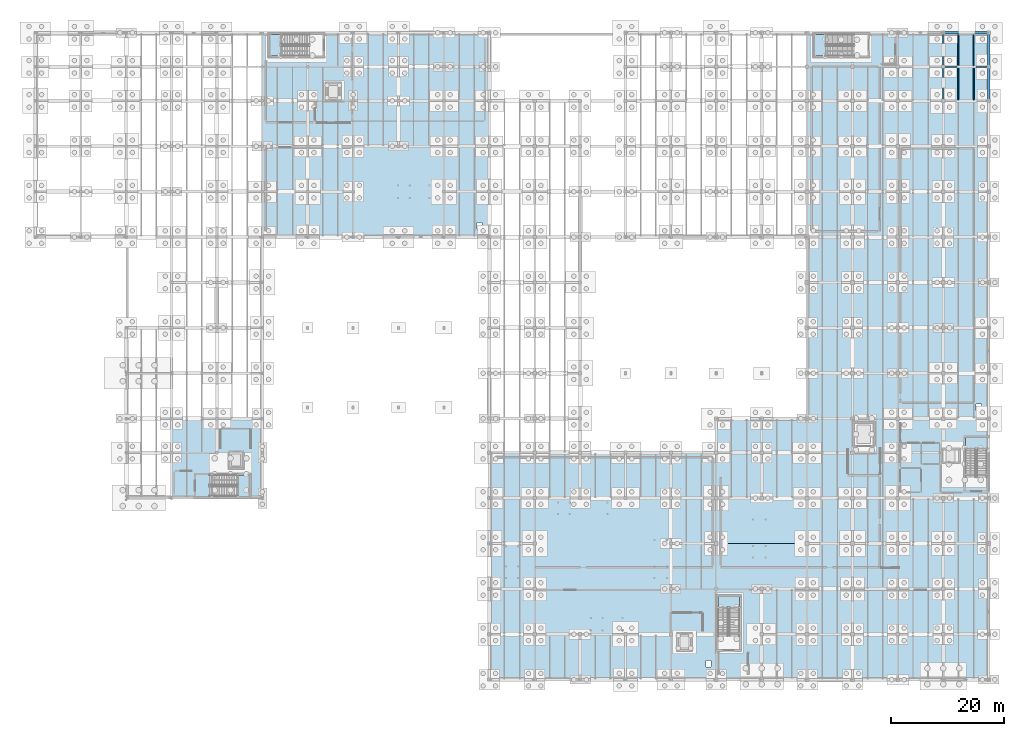
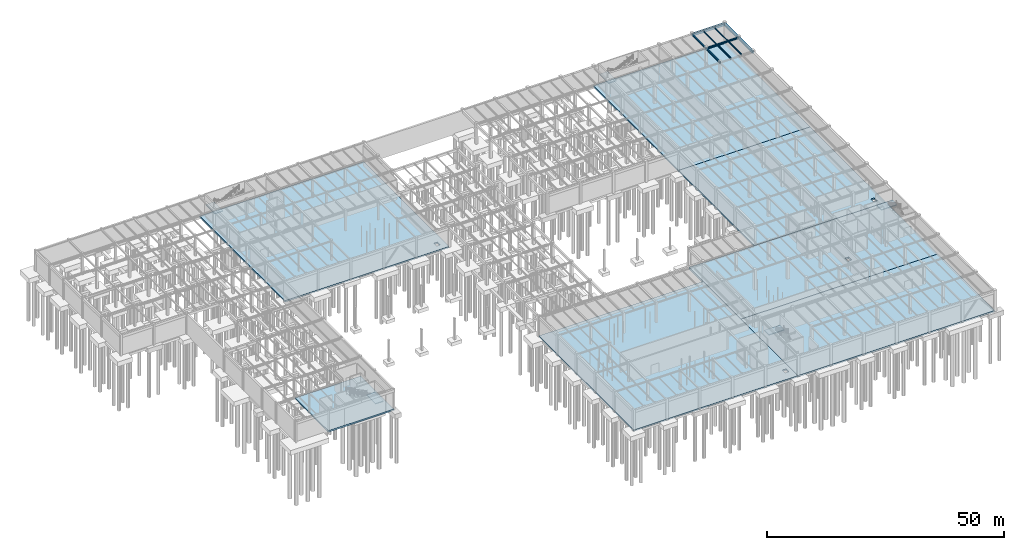
# One storey, part 31 of 71: 12 slabs, 10 beams, 5 elements without a shape of their own.
"""IFC4 building model written with IfcOpenShell, lengths in metres."""

from ifc_helpers import new_model, si_unit, direction, frame, origin, origin_2d, place, context, subcontext, project, spatial, polyline, rectangle, i_section, outline, extrude, material, layer, layer_set, material_profile, profile_set, type_object, element, aggregate, save


model = new_model("IFC4")

# Units and contexts
model_context = context("Model", 3, precision=1e-05, world=origin(), true_north=direction((0.0, 1.0)))
body_context = subcontext(model_context, "Body", "Model", "MODEL_VIEW")
ifc_project = project(units=[si_unit("LENGTHUNIT", "METRE"), si_unit("AREAUNIT", "SQUARE_METRE"), si_unit("VOLUMEUNIT", "CUBIC_METRE"), si_unit("PLANEANGLEUNIT", "RADIAN"), si_unit("MASSUNIT", "GRAM", prefix="KILO")], contexts=[model_context])

# Site, building, storey
site_placement = place(None, origin())
site = spatial("IfcSite", under=ifc_project, at=site_placement, CompositionType="ELEMENT")
building_placement = place(site_placement, origin())
building = spatial("IfcBuilding", under=site, at=building_placement, Name="Sundkrona Museum", CompositionType="ELEMENT")
storey_placement = place(building_placement, frame((0.0, 0.0, -5.39990234375)))
storey = spatial("IfcBuildingStorey", under=building, at=storey_placement, Name="B1", CompositionType="ELEMENT", Elevation=-5.39990234375)

# Beams
ifc_material_1 = material(Name="Steel S355J2", Category="steel")
ifc_material_profile_1 = material_profile(ifc_material_1, i_section(OverallWidth=0.300048828125, OverallDepth=0.39990234375, WebThickness=0.013427734375, FlangeThickness=0.02392578125, FilletRadius=0.027099609375, at=origin_2d()), Name="HEB 400")
ifc_profile_set_1 = profile_set([ifc_material_profile_1], Name="Steel S355J2")
beam_type_1 = type_object("IfcBeamType", Name="B-HEB400", PredefinedType="BEAM", material=ifc_profile_set_1)
beam_1_placement = place(storey_placement, frame((160.0, 108.0, 4.824951171875), z_axis=(1.0, 0.0, 0.0), x_axis=(0.0, 1.0, 0.0)))
element("IfcBeam", 1, at=beam_1_placement, inside=storey, type_object=beam_type_1, Name="B1 Girder X-0192", PredefinedType="BEAM", context=body_context, shape_type="SweptSolid", body=[
    extrude(i_section(OverallWidth=0.300048828125, OverallDepth=0.39990234375, WebThickness=0.013427734375, FlangeThickness=0.02392578125, FilletRadius=0.027099609375, at=origin_2d()), origin(), (0.0, 0.0, 1.0), 8.0),
])
for number, where, z_axis, x_axis, name in (
    (2, (160.0, 102.0, 4.824951171875), (0.0, 1.0, 0.0), (-1.0, 0.0, 0.0), "B1 Girder Y-0406"),
    (3, (160.0, 108.0, 4.824951171875), (0.0, 1.0, 0.0), (-1.0, 0.0, 0.0), "B1 Girder Y-0407"),
):
    element("IfcBeam", number, at=place(storey_placement, frame(where, z_axis=z_axis, x_axis=x_axis)), inside=storey, type_object=beam_type_1, Name=name, PredefinedType="BEAM", context=body_context, shape_type="SweptSolid", body=[
        extrude(i_section(OverallWidth=0.300048828125, OverallDepth=0.39990234375, WebThickness=0.013427734375, FlangeThickness=0.02392578125, FilletRadius=0.027099609375, at=origin_2d()), origin(), (0.0, 0.0, 1.0), 6.0),
    ])
ifc_material_2 = material(Name="Concrete C40/50", Category="concrete")
ifc_material_profile_2 = material_profile(ifc_material_2, rectangle(XDim=0.39990234375, YDim=0.64990234375, at=origin_2d()), Name="RCB 400x650")
ifc_profile_set_2 = profile_set([ifc_material_profile_2], Name="Concrete C40/50")
beam_type_2 = type_object("IfcBeamType", Name="B-RC400", PredefinedType="BEAM", material=ifc_profile_set_2)
beam_2_placement = place(storey_placement, frame((160.0, 114.0, 4.699951171875), z_axis=(1.0, 0.0, 0.0), x_axis=(0.0, 1.0, 0.0)))
element("IfcBeam", 4, at=beam_2_placement, inside=storey, type_object=beam_type_2, Name="B1 Girder X-0210", PredefinedType="BEAM", context=body_context, shape_type="SweptSolid", body=[
    extrude(rectangle(XDim=0.39990234375, YDim=0.64990234375, at=origin_2d()), origin(), (0.0, 0.0, 1.0), 8.0),
])
for number, where, z_axis, x_axis, name in (
    (5, (168.0, 102.0, 4.699951171875), (0.0, 1.0, 0.0), (-1.0, 0.0, 0.0), "B1 Girder Y-0421"),
    (6, (168.0, 108.0, 4.699951171875), (0.0, 1.0, 0.0), (-1.0, 0.0, 0.0), "B1 Girder Y-0422"),
):
    element("IfcBeam", number, at=place(storey_placement, frame(where, z_axis=z_axis, x_axis=x_axis)), inside=storey, type_object=beam_type_2, Name=name, PredefinedType="BEAM", context=body_context, shape_type="SweptSolid", body=[
        extrude(rectangle(XDim=0.39990234375, YDim=0.64990234375, at=origin_2d()), origin(), (0.0, 0.0, 1.0), 6.0),
    ])
ifc_material_profile_3 = material_profile(ifc_material_1, i_section(OverallWidth=0.14990234375, OverallDepth=0.300048828125, WebThickness=0.007080078125, FlangeThickness=0.0107421875, FilletRadius=0.014892578125, at=origin_2d()), Name="IPE 300")
ifc_profile_set_3 = profile_set([ifc_material_profile_3], Name="Steel S355J2")
beam_type_3 = type_object("IfcBeamType", Name="J-IPE300", PredefinedType="JOIST", material=ifc_profile_set_3)
beam_3_placement = place(storey_placement, frame((165.333251953125, 108.14404296875, 4.875), z_axis=(0.0, 1.0, 0.0), x_axis=(-1.0, 0.0, 0.0)))
element("IfcBeam", 7, at=beam_3_placement, inside=storey, type_object=beam_type_3, Name="B1 Composite Joist 0315", PredefinedType="JOIST", context=body_context, shape_type="SweptSolid", body=[
    extrude(i_section(OverallWidth=0.14990234375, OverallDepth=0.300048828125, WebThickness=0.007080078125, FlangeThickness=0.0107421875, FilletRadius=0.014892578125, at=origin_2d()), origin(), (0.0, 0.0, 1.0), 5.661865234375),
])
ifc_material_profile_4 = material_profile(ifc_material_1, i_section(OverallWidth=0.169921875, OverallDepth=0.360107421875, WebThickness=0.008056640625, FlangeThickness=0.0126953125, FilletRadius=0.01806640625, at=origin_2d()), Name="IPE 360")
ifc_profile_set_4 = profile_set([ifc_material_profile_4], Name="Steel S355J2")
beam_type_4 = type_object("IfcBeamType", Name="J-IPE360", PredefinedType="JOIST", material=ifc_profile_set_4)
for number, where, z_axis, x_axis, name in (
    (8, (162.666748046875, 102.14404296875, 4.844970703125), (0.0, 1.0, 0.0), (-1.0, 0.0, 0.0), "B1 Composite Joist 0312"),
    (9, (165.333251953125, 102.14404296875, 4.844970703125), (0.0, 1.0, 0.0), (-1.0, 0.0, 0.0), "B1 Composite Joist 0313"),
):
    element("IfcBeam", number, at=place(storey_placement, frame(where, z_axis=z_axis, x_axis=x_axis)), inside=storey, type_object=beam_type_4, Name=name, PredefinedType="JOIST", context=body_context, shape_type="SweptSolid", body=[
        extrude(i_section(OverallWidth=0.169921875, OverallDepth=0.360107421875, WebThickness=0.008056640625, FlangeThickness=0.0126953125, FilletRadius=0.01806640625, at=origin_2d()), origin(), (0.0, 0.0, 1.0), 5.7119140625),
    ])
beam_4_placement = place(storey_placement, frame((162.666748046875, 108.14404296875, 4.844970703125), z_axis=(0.0, 1.0, 0.0), x_axis=(-1.0, 0.0, 0.0)))
element("IfcBeam", 10, at=beam_4_placement, inside=storey, type_object=beam_type_4, Name="B1 Composite Joist 0314", PredefinedType="JOIST", context=body_context, shape_type="SweptSolid", body=[
    extrude(i_section(OverallWidth=0.169921875, OverallDepth=0.360107421875, WebThickness=0.008056640625, FlangeThickness=0.0126953125, FilletRadius=0.01806640625, at=origin_2d()), origin(), (0.0, 0.0, 1.0), 5.661865234375),
])

# Slabs
ifc_material_3 = material(Name="Concrete C35/45", Category="concrete")
ifc_layer_1 = layer(ifc_material_3, 0.39990234375)
ifc_layer_set_1 = layer_set([ifc_layer_1], Name="Concrete C35/45")
slab_type_1 = type_object("IfcSlabType", Name="SL-BS-400", PredefinedType="BASESLAB", material=ifc_layer_set_1)
slab_1_placement = place(storey_placement, frame((0.0, 0.0, -0.400146484375)))
element("IfcSlab", 11, at=slab_1_placement, inside=storey, type_object=slab_type_1, Name="B1 Waterproofed Concrete C35/45 basement base slab 400 mm (SL-B1-V2A)", PredefinedType="BASESLAB", context=body_context, shape_type="SweptSolid", body=[
    extrude(outline(polyline([(80.0, 0.0), (120.0, 0.0), (120.0, 40.0), (80.0, 40.0), (80.0, 0.0)]), holes=[polyline([(119.10009765625, 2.199951171875), (118.199951171875, 2.199951171875), (118.199951171875, 3.39990234375), (119.10009765625, 3.39990234375), (119.10009765625, 2.199951171875)])]), origin(), (0.0, 0.0, 1.0), 0.400146484375),
])
slab_2_placement = place(storey_placement, frame((0.0, 0.0, -0.400146484375)))
element("IfcSlab", 12, at=slab_2_placement, inside=storey, type_object=slab_type_1, Name="B1 Waterproofed Concrete C35/45 basement base slab 400 mm (SL-B1-V3E)", PredefinedType="BASESLAB", context=body_context, shape_type="SweptSolid", body=[
    extrude(outline(polyline([(40.0, 78.0), (80.0, 78.0), (80.0, 114.0), (40.0, 114.0), (40.0, 78.0)]), holes=[polyline([(78.699951171875, 79.39990234375), (77.800048828125, 79.39990234375), (77.800048828125, 80.60009765625), (78.699951171875, 80.60009765625), (78.699951171875, 79.39990234375)])]), origin(), (0.0, 0.0, 1.0), 0.400146484375),
])
slab_3_placement = place(storey_placement, frame((0.0, 0.0, -0.400146484375)))
element("IfcSlab", 13, at=slab_3_placement, inside=storey, type_object=slab_type_1, Name="B1 Waterproofed Concrete C35/45 basement base slab 400 mm (SL-B1-V4B)", PredefinedType="BASESLAB", context=body_context, shape_type="SweptSolid", body=[
    extrude(outline(polyline([(24.0, 32.0), (40.0, 32.0), (40.0, 46.0), (24.0, 46.0), (24.0, 32.0)])), origin(), (0.0, 0.0, 1.0), 0.400146484375),
])
slab_4_placement = place(storey_placement, frame((0.0, 0.0, -0.400146484375)))
element("IfcSlab", 14, at=slab_4_placement, inside=storey, type_object=slab_type_1, Name="B1 Waterproofed Concrete C35/45 basement base slab 400 mm (SL-B1-V5E)", PredefinedType="BASESLAB", context=body_context, shape_type="SweptSolid", body=[
    extrude(outline(polyline([(136.0, 78.0), (168.0, 78.0), (168.0, 114.0), (136.0, 114.0), (136.0, 78.0)])), origin(), (0.0, 0.0, 1.0), 0.400146484375),
])
slab_5_placement = place(storey_placement, frame((0.0, 0.0, -0.400146484375)))
element("IfcSlab", 15, at=slab_5_placement, inside=storey, type_object=slab_type_1, Name="B1 Waterproofed Concrete C35/45 basement base slab 400 mm (SL-B1-V5L)", PredefinedType="BASESLAB", context=body_context, shape_type="SweptSolid", body=[
    extrude(outline(polyline([(136.0, 46.0), (168.0, 46.0), (168.0, 78.0), (136.0, 78.0), (136.0, 46.0)]), holes=[polyline([(166.699951171875, 47.39990234375), (165.800048828125, 47.39990234375), (165.800048828125, 48.60009765625), (166.699951171875, 48.60009765625), (166.699951171875, 47.39990234375)])]), origin(), (0.0, 0.0, 1.0), 0.400146484375),
])
ifc_layer_2 = layer(ifc_material_2, 0.429931640625)
ifc_layer_set_2 = layer_set([ifc_layer_2], Name="Concrete C40/50")
slab_type_2 = type_object("IfcSlabType", Name="SL-BS-430", PredefinedType="BASESLAB", material=ifc_layer_set_2)
slab_6_placement = place(storey_placement, frame((0.0, 0.0, -0.43017578125)))
element("IfcSlab", 16, at=slab_6_placement, inside=storey, type_object=slab_type_2, Name="B1 Heavy plant and substation basement base slab 430 mm (SL-B1-V1S)", PredefinedType="BASESLAB", context=body_context, shape_type="SweptSolid", body=[
    extrude(outline(polyline([(120.0, 0.0), (168.0, 0.0), (168.0, 24.0), (120.0, 24.0), (120.0, 0.0)])), origin(), (0.0, 0.0, 1.0), 0.43017578125),
])
slab_7_placement = place(storey_placement, frame((0.0, 0.0, -0.43017578125)))
element("IfcSlab", 17, at=slab_7_placement, inside=storey, type_object=slab_type_2, Name="B1 Heavy plant and substation basement base slab 430 mm (SL-B1-V1N)", PredefinedType="BASESLAB", context=body_context, shape_type="SweptSolid", body=[
    extrude(outline(polyline([(120.0, 24.0), (168.0, 24.0), (168.0, 46.0), (120.0, 46.0), (120.0, 24.0)]), holes=[polyline([(151.10009765625, 31.199951171875), (150.199951171875, 31.199951171875), (150.199951171875, 32.39990234375), (151.10009765625, 32.39990234375), (151.10009765625, 31.199951171875)])]), origin(), (0.0, 0.0, 1.0), 0.43017578125),
])

# Stair, slab
stair_type = type_object("IfcStairType", Name="ST-DL-540", PredefinedType="HALF_TURN_STAIR", material=ifc_material_3)
stair_1_placement = place(storey_placement, origin())
stair_1 = element("IfcStair", 18, at=stair_1_placement, inside=storey, type_object=stair_type, Name="B1 Protected Stair Core ST-1", PredefinedType="HALF_TURN_STAIR")
ifc_layer_3 = layer(ifc_material_3, 0.219970703125)
ifc_layer_set_3 = layer_set([ifc_layer_3], Name="Concrete C35/45")
slab_type_3 = type_object("IfcSlabType", Name="SL-LN-220", PredefinedType="LANDING", material=ifc_layer_set_3)
slab_8_placement = place(storey_placement, frame((0.0, 0.0, 2.47998046875)))
slab_8 = element("IfcSlab", 19, at=slab_8_placement, type_object=slab_type_3, Name="B1 Protected Stair Core ST-1 Landing 1", PredefinedType="LANDING", context=body_context, shape_type="SweptSolid", body=[
    extrude(outline(polyline([(167.699951171875, 40.715087890625), (167.699951171875, 42.699951171875), (163.89990234375, 42.699951171875), (163.89990234375, 40.715087890625), (167.699951171875, 40.715087890625)])), origin(), (0.0, 0.0, 1.0), 0.219970703125),
])
aggregate(stair_1, [slab_8])

stair_2_placement = place(storey_placement, origin())
stair_2 = element("IfcStair", 20, at=stair_2_placement, inside=storey, type_object=stair_type, Name="B1 Protected Stair Core ST-2", PredefinedType="HALF_TURN_STAIR")
slab_9_placement = place(storey_placement, frame((0.0, 0.0, 2.47998046875)))
slab_9 = element("IfcSlab", 21, at=slab_9_placement, type_object=slab_type_3, Name="B1 Protected Stair Core ST-2 Landing 1", PredefinedType="LANDING", context=body_context, shape_type="SweptSolid", body=[
    extrude(outline(polyline([(124.10009765625, 12.715087890625), (124.10009765625, 14.699951171875), (120.300048828125, 14.699951171875), (120.300048828125, 12.715087890625), (124.10009765625, 12.715087890625)])), origin(), (0.0, 0.0, 1.0), 0.219970703125),
])
aggregate(stair_2, [slab_9])

stair_3_placement = place(storey_placement, origin())
stair_3 = element("IfcStair", 22, at=stair_3_placement, inside=storey, type_object=stair_type, Name="B1 Protected Stair Core ST-3", PredefinedType="HALF_TURN_STAIR")
slab_10_placement = place(storey_placement, frame((0.0, 0.0, 2.47998046875)))
slab_10 = element("IfcSlab", 23, at=slab_10_placement, type_object=slab_type_3, Name="B1 Protected Stair Core ST-3 Landing 1", PredefinedType="LANDING", context=body_context, shape_type="SweptSolid", body=[
    extrude(outline(polyline([(43.284912109375, 113.699951171875), (41.300048828125, 113.699951171875), (41.300048828125, 109.89990234375), (43.284912109375, 109.89990234375), (43.284912109375, 113.699951171875)])), origin(), (0.0, 0.0, 1.0), 0.219970703125),
])
aggregate(stair_3, [slab_10])

stair_4_placement = place(storey_placement, origin())
stair_4 = element("IfcStair", 24, at=stair_4_placement, inside=storey, type_object=stair_type, Name="B1 Protected Stair Core ST-4", PredefinedType="HALF_TURN_STAIR")
slab_11_placement = place(storey_placement, frame((0.0, 0.0, 2.47998046875)))
slab_11 = element("IfcSlab", 25, at=slab_11_placement, type_object=slab_type_3, Name="B1 Protected Stair Core ST-4 Landing 1", PredefinedType="LANDING", context=body_context, shape_type="SweptSolid", body=[
    extrude(outline(polyline([(35.715087890625, 32.300048828125), (37.699951171875, 32.300048828125), (37.699951171875, 36.10009765625), (35.715087890625, 36.10009765625), (35.715087890625, 32.300048828125)])), origin(), (0.0, 0.0, 1.0), 0.219970703125),
])
aggregate(stair_4, [slab_11])

stair_5_placement = place(storey_placement, origin())
stair_5 = element("IfcStair", 26, at=stair_5_placement, inside=storey, type_object=stair_type, Name="B1 Protected Stair Core ST-5", PredefinedType="HALF_TURN_STAIR")
slab_12_placement = place(storey_placement, frame((0.0, 0.0, 2.47998046875)))
slab_12 = element("IfcSlab", 27, at=slab_12_placement, type_object=slab_type_3, Name="B1 Protected Stair Core ST-5 Landing 1", PredefinedType="LANDING", context=body_context, shape_type="SweptSolid", body=[
    extrude(outline(polyline([(139.284912109375, 113.699951171875), (137.300048828125, 113.699951171875), (137.300048828125, 109.89990234375), (139.284912109375, 109.89990234375), (139.284912109375, 113.699951171875)])), origin(), (0.0, 0.0, 1.0), 0.219970703125),
])
aggregate(stair_5, [slab_12])

save(model, "model.ifc")
